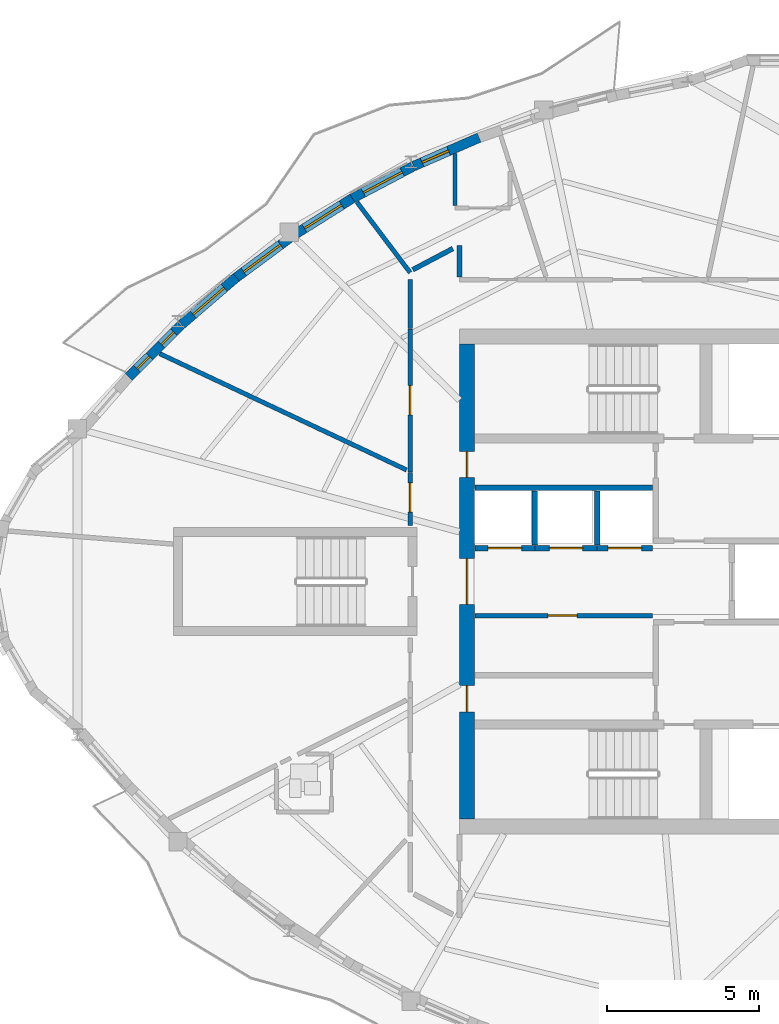
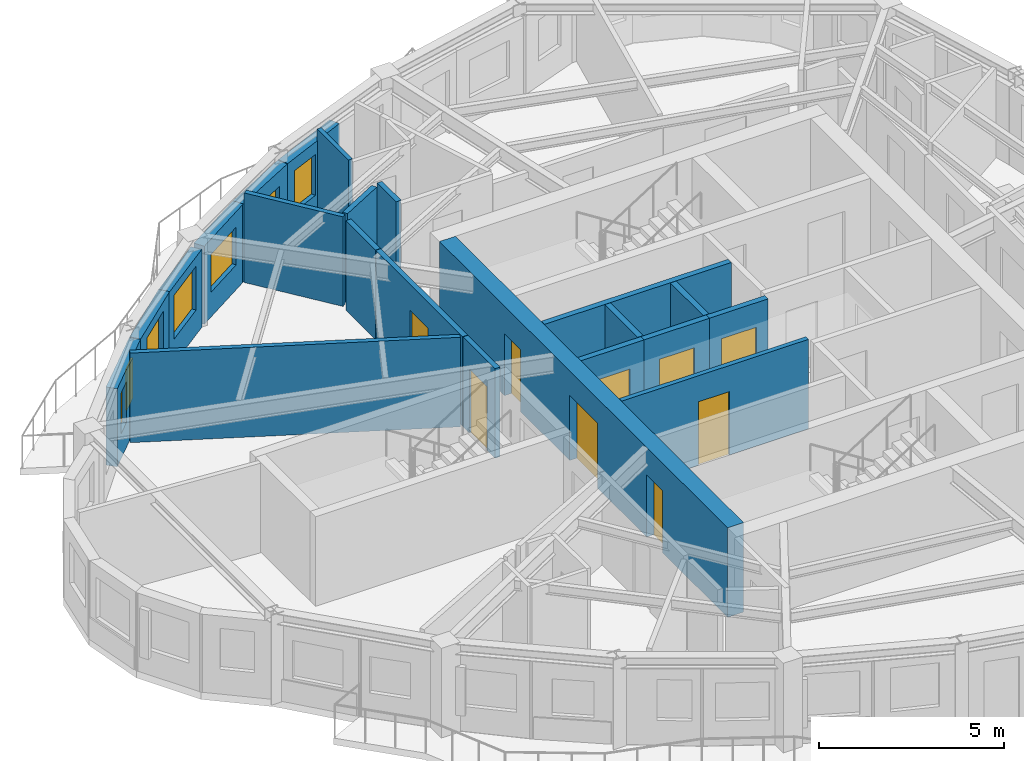
# One storey, part 5 of 12: 22 walls, 9 doors, 7 windows, 16 openings.
"""IFC4 building model written with IfcOpenShell, lengths in metres."""

from ifc_helpers import new_model, si_unit, direction, frame, frame_2d, origin, place, context, subcontext, project, spatial, rectangle, extrude, source, transform, mapped, material, layer, layer_set, type_object, element, fill, save


model = new_model("IFC4")

# Units and contexts
model_context = context("Model", 3, precision=1e-05, world=origin(), true_north=direction((0.0, 1.0)))
body_context = subcontext(model_context, "Body", "Model", "MODEL_VIEW")
ifc_project = project(units=[si_unit("LENGTHUNIT", "METRE"), si_unit("AREAUNIT", "SQUARE_METRE"), si_unit("VOLUMEUNIT", "CUBIC_METRE"), si_unit("PLANEANGLEUNIT", "RADIAN"), si_unit("MASSUNIT", "GRAM", prefix="KILO")], contexts=[model_context])

# Site, building, storey
site_placement = place(None, origin())
site = spatial("IfcSite", under=ifc_project, at=site_placement, CompositionType="ELEMENT")
building_placement = place(site_placement, origin())
building = spatial("IfcBuilding", under=site, at=building_placement, Name="Qafzar Sky-Pleat Residences", CompositionType="ELEMENT")
storey_placement = place(building_placement, frame((0.0, 0.0, 198.800048828125)))
storey = spatial("IfcBuildingStorey", under=building, at=storey_placement, Name="L59", CompositionType="ELEMENT", Elevation=198.800048828125)

# Wall, opening, door
ifc_material_1 = material(Name="Acoustic gypsum plasterboard partition", Category="gypsum")
ifc_layer_1 = layer(ifc_material_1, 0.159912109375)
ifc_layer_set_1 = layer_set([ifc_layer_1], Name="Acoustic gypsum plasterboard partition")
wall_type_1 = type_object("IfcWallType", Name="PART-COR-160", PredefinedType="PARTITIONING", material=ifc_layer_set_1)
wall_1_placement = place(storey_placement, frame((22.679931640625, 29.595947265625, 0.0), z_axis=(0.0, 0.0, 1.0), x_axis=(0.0, 1.0, 0.0)))
wall_1 = element("IfcWall", 1, at=wall_1_placement, inside=storey, type_object=wall_type_1, Name="L59 Partition Wall PART-L59-PW-002", PredefinedType="PARTITIONING", context=body_context, shape_type="SweptSolid", body=[
    extrude(rectangle(XDim=4.7041015625, YDim=0.159912109375, at=frame_2d((2.35205078125, 0.0))), origin(), (0.0, 0.0, 1.0), 2.9599609375),
])
opening_1_placement = place(wall_1_placement, frame((1.8798828125, 0.0, 0.0)))
opening_1 = element("IfcOpeningElement", 2, at=opening_1_placement, cuts=wall_1, Name="Opening ID-06", PredefinedType="OPENING", context=body_context, shape_type="SweptSolid", body=[
    extrude(rectangle(XDim=0.9599609375, YDim=2.10009765625, at=frame_2d((0.47998046875, 1.050048828125))), frame((0.0, 0.08984375, 0.0), z_axis=(0.0, -1.0, 0.0), x_axis=(1.0, 0.0, 0.0)), (0.0, 0.0, 1.0), 0.179931640625),
])
ifc_material_2 = material(Name="Timber-faced fire door", Category="wood")
door_type_1 = type_object("IfcDoorType", Name="DR-STD-960", OperationType="NOTDEFINED", PredefinedType="DOOR", material=ifc_material_2)
shared_shape_1 = source(origin(), body_context, "Body", "SweptSolid", [
    extrude(rectangle(XDim=0.9599609375, YDim=2.10009765625, at=frame_2d((0.47998046875, 1.050048828125))), frame((0.0, 0.02490234375, 0.0), z_axis=(0.0, -1.0, 0.0), x_axis=(1.0, 0.0, 0.0)), (0.0, 0.0, 1.0), 0.050048828125),
])
door_1_placement = place(opening_1_placement, origin())
door_1 = element("IfcDoor", 3, at=door_1_placement, inside=storey, type_object=door_type_1, Name="L59 Quiet Prayer Room Door", OperationType="SINGLE_SWING_LEFT", OverallHeight=2.10009765625, OverallWidth=0.9599609375, PredefinedType="DOOR", context=body_context, shape_type="MappedRepresentation", body=[
    mapped(shared_shape_1, transform((0.0, 0.0, 0.0), x_axis=(1.0, 0.0, 0.0), y_axis=(0.0, 1.0, 0.0), z_axis=(0.0, 0.0, 1.0), scale=1.0)),
])
fill(opening_1, door_1)

wall_2_placement = place(storey_placement, frame((22.679931640625, 27.85009765625, 0.0), z_axis=(0.0, 0.0, 1.0), x_axis=(0.0, 1.0, 0.0)))
wall_2 = element("IfcWall", 4, at=wall_2_placement, inside=storey, type_object=wall_type_1, Name="L59 Partition Wall PART-L59-PW-015", PredefinedType="PARTITIONING", context=body_context, shape_type="SweptSolid", body=[
    extrude(rectangle(XDim=1.73095703125, YDim=0.159912109375, at=frame_2d((0.865478515625, 0.0))), origin(), (0.0, 0.0, 1.0), 2.9599609375),
])
opening_2_placement = place(wall_2_placement, frame((0.430419921875, 0.0, 0.0)))
opening_2 = element("IfcOpeningElement", 5, at=opening_2_placement, cuts=wall_2, Name="Opening ID-06", PredefinedType="OPENING", context=body_context, shape_type="SweptSolid", body=[
    extrude(rectangle(XDim=0.9599609375, YDim=2.10009765625, at=frame_2d((0.47998046875, 1.050048828125))), frame((0.0, 0.08984375, 0.0), z_axis=(0.0, -1.0, 0.0), x_axis=(1.0, 0.0, 0.0)), (0.0, 0.0, 1.0), 0.179931640625),
])
door_2_placement = place(opening_2_placement, origin())
door_2 = element("IfcDoor", 6, at=door_2_placement, inside=storey, type_object=door_type_1, Name="L59 Media Screening Room Door", OperationType="SINGLE_SWING_RIGHT", OverallHeight=2.10009765625, OverallWidth=0.9599609375, PredefinedType="DOOR", context=body_context, shape_type="MappedRepresentation", body=[
    mapped(shared_shape_1, transform((0.0, 0.0, 0.0), x_axis=(1.0, 0.0, 0.0), y_axis=(0.0, 1.0, 0.0), z_axis=(0.0, 0.0, 1.0), scale=1.0)),
])
fill(opening_2, door_2)

# Walls
wall_3_placement = place(storey_placement, frame((22.679931640625, 34.31494140625, 0.0), z_axis=(0.0, 0.0, 1.0), x_axis=(0.0, 1.0, 0.0)))
element("IfcWall", 7, at=wall_3_placement, inside=storey, type_object=wall_type_1, Name="L59 Partition Wall PART-L59-PW-038", PredefinedType="PARTITIONING", context=body_context, shape_type="SweptSolid", body=[
    extrude(rectangle(XDim=1.60498046875, YDim=0.159912109375, at=frame_2d((0.802490234375, 0.0))), origin(), (0.0, 0.0, 1.0), 2.9599609375),
])
wall_4_placement = place(storey_placement, frame((22.763671875, 36.248046875, 0.0), z_axis=(0.0, 0.0, 1.0), x_axis=(0.884318813942, 0.466883535059, 0.0)))
element("IfcWall", 8, at=wall_4_placement, inside=storey, type_object=wall_type_1, Name="L59 Partition Wall PART-L59-PW-041", PredefinedType="PARTITIONING", context=body_context, shape_type="SweptSolid", body=[
    extrude(rectangle(XDim=1.486083984375, YDim=0.159912109375, at=frame_2d((0.7431640625, 0.0))), origin(), (0.0, 0.0, 1.0), 2.9599609375),
])
wall_5_placement = place(storey_placement, frame((24.300048828125, 36.008056640625, 0.0), z_axis=(0.0, 0.0, 1.0), x_axis=(0.0, 1.0, 0.0)))
element("IfcWall", 9, at=wall_5_placement, inside=storey, type_object=wall_type_1, Name="L59 Partition Wall PART-L59-PW-047", PredefinedType="PARTITIONING", context=body_context, shape_type="SweptSolid", body=[
    extrude(rectangle(XDim=1.031005859375, YDim=0.159912109375, at=frame_2d((0.515625, 0.0))), origin(), (0.0, 0.0, 1.0), 2.9599609375),
])
ifc_material_3 = material(Name="Concrete blockwork partition", Category="masonry")
ifc_layer_2 = layer(ifc_material_3, 0.179931640625)
ifc_layer_set_2 = layer_set([ifc_layer_2], Name="Concrete blockwork partition")
wall_type_2 = type_object("IfcWallType", Name="PART-SHAFT-180", PredefinedType="PARTITIONING", material=ifc_layer_set_2)
wall_6_placement = place(storey_placement, frame((24.81005859375, 29.080078125, 0.0), z_axis=(0.0, 0.0, 1.0), x_axis=(1.0, 0.0, 0.0)))
element("IfcWall", 10, at=wall_6_placement, inside=storey, type_object=wall_type_2, Name="L59 Partition Wall PART-L59-P46-N", PredefinedType="PARTITIONING", context=body_context, shape_type="SweptSolid", body=[
    extrude(rectangle(XDim=5.83984375, YDim=0.179931640625, at=frame_2d((2.919921875, 0.0))), origin(), (0.0, 0.0, 1.0), 2.9599609375),
])

# Wall, opening, door
wall_7_placement = place(storey_placement, frame((24.81005859375, 27.10009765625, 0.0), z_axis=(0.0, 0.0, 1.0), x_axis=(1.0, 0.0, 0.0)))
wall_7 = element("IfcWall", 11, at=wall_7_placement, inside=storey, type_object=wall_type_2, Name="L59 Partition Wall PART-L59-P4-S", PredefinedType="PARTITIONING", context=body_context, shape_type="SweptSolid", body=[
    extrude(rectangle(XDim=1.96484375, YDim=0.179931640625, at=frame_2d((0.982421875, 0.0))), origin(), (0.0, 0.0, 1.0), 2.9599609375),
])
opening_3_placement = place(wall_7_placement, frame((0.4326171875, 0.0, 0.0)))
opening_3 = element("IfcOpeningElement", 12, at=opening_3_placement, cuts=wall_7, Name="Opening LD-01", PredefinedType="OPENING", context=body_context, shape_type="SweptSolid", body=[
    extrude(rectangle(XDim=1.10009765625, YDim=2.14990234375, at=frame_2d((0.550048828125, 1.074951171875))), frame((0.0, 0.10009765625, 0.0), z_axis=(0.0, -1.0, 0.0), x_axis=(1.0, 0.0, 0.0)), (0.0, 0.0, 1.0), 0.199951171875),
])
ifc_material_4 = material(Name="Stainless steel sliding landing door", Category="steel")
door_type_2 = type_object("IfcDoorType", Name="DR-LIFT-P", OperationType="DOUBLE_DOOR_SLIDING", PredefinedType="DOOR", material=ifc_material_4)
shared_shape_2 = source(origin(), body_context, "Body", "SweptSolid", [
    extrude(rectangle(XDim=1.10009765625, YDim=2.14990234375, at=frame_2d((0.550048828125, 1.074951171875))), frame((0.0, 0.02490234375, 0.0), z_axis=(0.0, -1.0, 0.0), x_axis=(1.0, 0.0, 0.0)), (0.0, 0.0, 1.0), 0.050048828125),
])
door_3_placement = place(opening_3_placement, origin())
door_3 = element("IfcDoor", 13, at=door_3_placement, inside=storey, type_object=door_type_2, Name="L59 Passenger Lift P4 Landing Door", OperationType="DOUBLE_DOOR_SLIDING", OverallHeight=2.14990234375, OverallWidth=1.10009765625, PredefinedType="DOOR", context=body_context, shape_type="MappedRepresentation", body=[
    mapped(shared_shape_2, transform((0.0, 0.0, 0.0), x_axis=(1.0, 0.0, 0.0), y_axis=(0.0, 1.0, 0.0), z_axis=(0.0, 0.0, 1.0), scale=1.0)),
])
fill(opening_3, door_3)

wall_8_placement = place(storey_placement, frame((26.77490234375, 27.10009765625, 0.0), z_axis=(0.0, 0.0, 1.0), x_axis=(1.0, 0.0, 0.0)))
wall_8 = element("IfcWall", 14, at=wall_8_placement, inside=storey, type_object=wall_type_2, Name="L59 Partition Wall PART-L59-P5-S", PredefinedType="PARTITIONING", context=body_context, shape_type="SweptSolid", body=[
    extrude(rectangle(XDim=2.050048828125, YDim=0.179931640625, at=frame_2d((1.02490234375, 0.0))), origin(), (0.0, 0.0, 1.0), 2.9599609375),
])
opening_4_placement = place(wall_8_placement, frame((0.47509765625, 0.0, 0.0)))
opening_4 = element("IfcOpeningElement", 15, at=opening_4_placement, cuts=wall_8, Name="Opening LD-01", PredefinedType="OPENING", context=body_context, shape_type="SweptSolid", body=[
    extrude(rectangle(XDim=1.10009765625, YDim=2.14990234375, at=frame_2d((0.550048828125, 1.074951171875))), frame((0.0, 0.10009765625, 0.0), z_axis=(0.0, -1.0, 0.0), x_axis=(1.0, 0.0, 0.0)), (0.0, 0.0, 1.0), 0.199951171875),
])
door_4_placement = place(opening_4_placement, origin())
door_4 = element("IfcDoor", 16, at=door_4_placement, inside=storey, type_object=door_type_2, Name="L59 Passenger Lift P5 Landing Door", OperationType="DOUBLE_DOOR_SLIDING", OverallHeight=2.14990234375, OverallWidth=1.10009765625, PredefinedType="DOOR", context=body_context, shape_type="MappedRepresentation", body=[
    mapped(shared_shape_2, transform((0.0, 0.0, 0.0), x_axis=(1.0, 0.0, 0.0), y_axis=(0.0, 1.0, 0.0), z_axis=(0.0, 0.0, 1.0), scale=1.0)),
])
fill(opening_4, door_4)

# Wall
wall_9_placement = place(storey_placement, frame((26.77490234375, 27.199951171875, 0.0), z_axis=(0.0, 0.0, 1.0), x_axis=(0.0, 1.0, 0.0)))
element("IfcWall", 17, at=wall_9_placement, inside=storey, type_object=wall_type_2, Name="L59 Partition Wall PART-L59-P46-DIV-1", PredefinedType="PARTITIONING", context=body_context, shape_type="SweptSolid", body=[
    extrude(rectangle(XDim=1.780029296875, YDim=0.179931640625, at=frame_2d((0.89013671875, 0.0))), origin(), (0.0, 0.0, 1.0), 2.9599609375),
])

# Wall, opening, door
wall_10_placement = place(storey_placement, frame((28.824951171875, 27.10009765625, 0.0), z_axis=(0.0, 0.0, 1.0), x_axis=(1.0, 0.0, 0.0)))
wall_10 = element("IfcWall", 18, at=wall_10_placement, inside=storey, type_object=wall_type_2, Name="L59 Partition Wall PART-L59-P6-S", PredefinedType="PARTITIONING", context=body_context, shape_type="SweptSolid", body=[
    extrude(rectangle(XDim=1.824951171875, YDim=0.179931640625, at=frame_2d((0.91259765625, 0.0))), origin(), (0.0, 0.0, 1.0), 2.9599609375),
])
opening_5_placement = place(wall_10_placement, frame((0.362548828125, 0.0, 0.0)))
opening_5 = element("IfcOpeningElement", 19, at=opening_5_placement, cuts=wall_10, Name="Opening LD-01", PredefinedType="OPENING", context=body_context, shape_type="SweptSolid", body=[
    extrude(rectangle(XDim=1.10009765625, YDim=2.14990234375, at=frame_2d((0.550048828125, 1.074951171875))), frame((0.0, 0.10009765625, 0.0), z_axis=(0.0, -1.0, 0.0), x_axis=(1.0, 0.0, 0.0)), (0.0, 0.0, 1.0), 0.199951171875),
])
door_5_placement = place(opening_5_placement, origin())
door_5 = element("IfcDoor", 20, at=door_5_placement, inside=storey, type_object=door_type_2, Name="L59 Passenger Lift P6 Landing Door", OperationType="DOUBLE_DOOR_SLIDING", OverallHeight=2.14990234375, OverallWidth=1.10009765625, PredefinedType="DOOR", context=body_context, shape_type="MappedRepresentation", body=[
    mapped(shared_shape_2, transform((0.0, 0.0, 0.0), x_axis=(1.0, 0.0, 0.0), y_axis=(0.0, 1.0, 0.0), z_axis=(0.0, 0.0, 1.0), scale=1.0)),
])
fill(opening_5, door_5)

# Wall
wall_11_placement = place(storey_placement, frame((28.824951171875, 27.199951171875, 0.0), z_axis=(0.0, 0.0, 1.0), x_axis=(0.0, 1.0, 0.0)))
element("IfcWall", 21, at=wall_11_placement, inside=storey, type_object=wall_type_2, Name="L59 Partition Wall PART-L59-P46-DIV-2", PredefinedType="PARTITIONING", context=body_context, shape_type="SweptSolid", body=[
    extrude(rectangle(XDim=1.780029296875, YDim=0.179931640625, at=frame_2d((0.89013671875, 0.0))), origin(), (0.0, 0.0, 1.0), 2.9599609375),
])

# Wall, opening, door
ifc_layer_3 = layer(ifc_material_1, 0.14501953125)
ifc_layer_set_3 = layer_set([ifc_layer_3], Name="Acoustic gypsum plasterboard partition")
wall_type_3 = type_object("IfcWallType", Name="PART-UNIT-145", PredefinedType="PARTITIONING", material=ifc_layer_set_3)
wall_12_placement = place(storey_placement, frame((24.81005859375, 24.8798828125, 0.0), z_axis=(0.0, 0.0, 1.0), x_axis=(1.0, 0.0, 0.0)))
wall_12 = element("IfcWall", 22, at=wall_12_placement, inside=storey, type_object=wall_type_3, Name="L59 Partition Wall PART-L59-RECLAIM-N", PredefinedType="PARTITIONING", context=body_context, shape_type="SweptSolid", body=[
    extrude(rectangle(XDim=5.83984375, YDim=0.14501953125, at=frame_2d((2.919921875, 0.0))), origin(), (0.0, 0.0, 1.0), 2.9599609375),
])
opening_6_placement = place(wall_12_placement, frame((2.39990234375, 0.0, 0.0)))
opening_6 = element("IfcOpeningElement", 23, at=opening_6_placement, cuts=wall_12, Name="Opening ID-06", PredefinedType="OPENING", context=body_context, shape_type="SweptSolid", body=[
    extrude(rectangle(XDim=0.9599609375, YDim=2.10009765625, at=frame_2d((0.47998046875, 1.050048828125))), frame((0.0, 0.08251953125, 0.0), z_axis=(0.0, -1.0, 0.0), x_axis=(1.0, 0.0, 0.0)), (0.0, 0.0, 1.0), 0.1650390625),
])
door_6_placement = place(opening_6_placement, origin())
door_6 = element("IfcDoor", 24, at=door_6_placement, inside=storey, type_object=door_type_1, Name="L59 Reclaimed Resident Laundry Room Door", OperationType="SINGLE_SWING_LEFT", OverallHeight=2.10009765625, OverallWidth=0.9599609375, PredefinedType="DOOR", context=body_context, shape_type="MappedRepresentation", body=[
    mapped(shared_shape_1, transform((0.0, 0.0, 0.0), x_axis=(1.0, 0.0, 0.0), y_axis=(0.0, 1.0, 0.0), z_axis=(0.0, 0.0, 1.0), scale=1.0)),
])
fill(opening_6, door_6)

# Walls
wall_13_placement = place(storey_placement, frame((14.4453125, 33.490478515625, 0.0), z_axis=(0.0, 0.0, 1.0), x_axis=(0.904673727325, -0.426104971912, 0.0)))
element("IfcWall", 25, at=wall_13_placement, inside=storey, type_object=wall_type_3, Name="L59 Partition Wall PART-L59-PW-017", PredefinedType="PARTITIONING", context=body_context, shape_type="SweptSolid", body=[
    extrude(rectangle(XDim=8.971923828125, YDim=0.14501953125, at=frame_2d((4.48583984375, 0.0))), origin(), (0.0, 0.0, 1.0), 2.9599609375),
])
wall_14_placement = place(storey_placement, frame((20.928955078125, 38.469482421875, 0.0), z_axis=(0.0, 0.0, 1.0), x_axis=(0.602847358209, -0.797856542682, 0.0)))
element("IfcWall", 26, at=wall_14_placement, inside=storey, type_object=wall_type_3, Name="L59 Partition Wall PART-L59-PW-029", PredefinedType="PARTITIONING", context=body_context, shape_type="SweptSolid", body=[
    extrude(rectangle(XDim=2.904541015625, YDim=0.14501953125, at=frame_2d((1.4521484375, 0.0))), origin(), (0.0, 0.0, 1.0), 2.9599609375),
])
ifc_material_5 = material(Name="Moisture-resistant gypsum partition", Category="gypsum")
ifc_layer_4 = layer(ifc_material_5, 0.1298828125)
ifc_layer_set_4 = layer_set([ifc_layer_4], Name="Moisture-resistant gypsum partition")
wall_type_4 = type_object("IfcWallType", Name="PART-WET-130", PredefinedType="PARTITIONING", material=ifc_layer_set_4)
wall_15_placement = place(storey_placement, frame((24.154052734375, 38.35498046875, 0.0), z_axis=(0.0, 0.0, 1.0), x_axis=(0.0, 1.0, 0.0)))
element("IfcWall", 27, at=wall_15_placement, inside=storey, type_object=wall_type_4, Name="L59 Partition Wall PART-L59-PW-031", PredefinedType="PARTITIONING", context=body_context, shape_type="SweptSolid", body=[
    extrude(rectangle(XDim=1.705078125, YDim=0.1298828125, at=frame_2d((0.8525390625, 0.0))), origin(), (0.0, 0.0, 1.0), 2.9599609375),
])

# Wall, opening, window
ifc_material_6 = material(Name="Precast concrete C40/50 with honed Riyadh limestone", Category="concrete")
ifc_layer_5 = layer(ifc_material_6, 0.320068359375)
ifc_layer_set_5 = layer_set([ifc_layer_5], Name="Precast concrete C40/50 with honed Riyadh limestone")
wall_type_5 = type_object("IfcWallType", Name="WALL-EXT-320", PredefinedType="SOLIDWALL", material=ifc_layer_set_5)
wall_16_placement = place(storey_placement, frame((24.943359375, 40.589599609375, 0.0), z_axis=(0.0, 0.0, 1.0), x_axis=(-0.917071710038, -0.398722307688, 0.0)))
wall_16 = element("IfcWall", 28, at=wall_16_placement, inside=storey, type_object=wall_type_5, Name="L59 Limestone Facade Wall 42", PredefinedType="SOLIDWALL", context=body_context, shape_type="SweptSolid", body=[
    extrude(rectangle(XDim=2.346923828125, YDim=0.320068359375, at=frame_2d((1.17333984375, 0.0))), origin(), (0.0, 0.0, 1.0), 2.579833984375),
])
opening_7_placement = place(wall_16_placement, frame((1.09130859375, 0.0, 0.820068359375)))
opening_7 = element("IfcOpeningElement", 29, at=opening_7_placement, cuts=wall_16, Name="Opening WN-12", PredefinedType="OPENING", context=body_context, shape_type="SweptSolid", body=[
    extrude(rectangle(XDim=0.949951171875, YDim=1.35009765625, at=frame_2d((0.47509765625, 0.675048828125))), frame((0.0, 0.169921875, 0.0), z_axis=(0.0, -1.0, 0.0), x_axis=(1.0, 0.0, 0.0)), (0.0, 0.0, 1.0), 0.340087890625),
])
ifc_material_7 = material(Name="Solar-control low-E glass in bronze aluminium frame", Category="glass")
window_type_1 = type_object("IfcWindowType", Name="WIN-12", PartitioningType="SINGLE_PANEL", PredefinedType="WINDOW", material=ifc_material_7)
shared_shape_3 = source(origin(), body_context, "Body", "SweptSolid", [
    extrude(rectangle(XDim=0.949951171875, YDim=1.35009765625, at=frame_2d((0.47509765625, 0.675048828125))), frame((0.0, 0.030029296875, 0.0), z_axis=(0.0, -1.0, 0.0), x_axis=(1.0, 0.0, 0.0)), (0.0, 0.0, 1.0), 0.06005859375),
])
window_1_placement = place(opening_7_placement, origin())
window_1 = element("IfcWindow", 30, at=window_1_placement, inside=storey, type_object=window_type_1, Name="L59 Punched Facade Window 42-2", OverallHeight=1.35009765625, OverallWidth=0.949951171875, PartitioningType="SINGLE_PANEL", PredefinedType="WINDOW", context=body_context, shape_type="MappedRepresentation", body=[
    mapped(shared_shape_3, transform((0.0, 0.0, 0.0), x_axis=(1.0, 0.0, 0.0), y_axis=(0.0, 1.0, 0.0), z_axis=(0.0, 0.0, 1.0), scale=1.0)),
])
fill(opening_7, window_1)

wall_17_placement = place(storey_placement, frame((22.765869140625, 39.641845703125, 0.0), z_axis=(0.0, 0.0, 1.0), x_axis=(-0.884377555637, -0.466772256122, 0.0)))
wall_17 = element("IfcWall", 31, at=wall_17_placement, inside=storey, type_object=wall_type_5, Name="L59 Limestone Facade Wall 43", PredefinedType="SOLIDWALL", context=body_context, shape_type="SweptSolid", body=[
    extrude(rectangle(XDim=2.333740234375, YDim=0.320068359375, at=frame_2d((1.1669921875, 0.0))), origin(), (0.0, 0.0, 1.0), 2.579833984375),
])
opening_8_placement = place(wall_17_placement, frame((0.393310546875, 0.0, 0.820068359375)))
opening_8 = element("IfcOpeningElement", 32, at=opening_8_placement, cuts=wall_17, Name="Opening WN-15", PredefinedType="OPENING", context=body_context, shape_type="SweptSolid", body=[
    extrude(rectangle(XDim=1.449951171875, YDim=1.25, at=frame_2d((0.72509765625, 0.625))), frame((0.0, 0.169921875, 0.0), z_axis=(0.0, -1.0, 0.0), x_axis=(1.0, 0.0, 0.0)), (0.0, 0.0, 1.0), 0.340087890625),
])
window_type_2 = type_object("IfcWindowType", Name="WIN-15", PartitioningType="SINGLE_PANEL", PredefinedType="WINDOW", material=ifc_material_7)
shared_shape_4 = source(origin(), body_context, "Body", "SweptSolid", [
    extrude(rectangle(XDim=1.449951171875, YDim=1.25, at=frame_2d((0.72509765625, 0.625))), frame((0.0, 0.030029296875, 0.0), z_axis=(0.0, -1.0, 0.0), x_axis=(1.0, 0.0, 0.0)), (0.0, 0.0, 1.0), 0.06005859375),
])
window_2_placement = place(opening_8_placement, origin())
window_2 = element("IfcWindow", 33, at=window_2_placement, inside=storey, type_object=window_type_2, Name="L59 Punched Facade Window 43", OverallHeight=1.25, OverallWidth=1.449951171875, PartitioningType="SINGLE_PANEL", PredefinedType="WINDOW", context=body_context, shape_type="MappedRepresentation", body=[
    mapped(shared_shape_4, transform((0.0, 0.0, 0.0), x_axis=(1.0, 0.0, 0.0), y_axis=(0.0, 1.0, 0.0), z_axis=(0.0, 0.0, 1.0), scale=1.0)),
])
fill(opening_8, window_2)

wall_18_placement = place(storey_placement, frame((20.7783203125, 38.5966796875, 0.0), z_axis=(0.0, 0.0, 1.0), x_axis=(-0.84639489148, -0.532555807101, 0.0)))
wall_18 = element("IfcWall", 34, at=wall_18_placement, inside=storey, type_object=wall_type_5, Name="L59 Limestone Facade Wall 44", PredefinedType="SOLIDWALL", context=body_context, shape_type="SweptSolid", body=[
    extrude(rectangle(XDim=2.263671875, YDim=0.320068359375, at=frame_2d((1.1318359375, 0.0))), origin(), (0.0, 0.0, 1.0), 2.579833984375),
])
opening_9_placement = place(wall_18_placement, frame((0.411865234375, 0.0, 0.820068359375)))
opening_9 = element("IfcOpeningElement", 35, at=opening_9_placement, cuts=wall_18, Name="Opening WN-15", PredefinedType="OPENING", context=body_context, shape_type="SweptSolid", body=[
    extrude(rectangle(XDim=1.449951171875, YDim=1.25, at=frame_2d((0.72509765625, 0.625))), frame((0.0, 0.169921875, 0.0), z_axis=(0.0, -1.0, 0.0), x_axis=(1.0, 0.0, 0.0)), (0.0, 0.0, 1.0), 0.340087890625),
])
window_3_placement = place(opening_9_placement, origin())
window_3 = element("IfcWindow", 36, at=window_3_placement, inside=storey, type_object=window_type_2, Name="L59 Punched Facade Window 44", OverallHeight=1.25, OverallWidth=1.449951171875, PartitioningType="SINGLE_PANEL", PredefinedType="WINDOW", context=body_context, shape_type="MappedRepresentation", body=[
    mapped(shared_shape_4, transform((0.0, 0.0, 0.0), x_axis=(1.0, 0.0, 0.0), y_axis=(0.0, 1.0, 0.0), z_axis=(0.0, 0.0, 1.0), scale=1.0)),
])
fill(opening_9, window_3)

wall_19_placement = place(storey_placement, frame((18.7236328125, 37.29638671875, 0.0), z_axis=(0.0, 0.0, 1.0), x_axis=(-0.803830620004, -0.59485824727, 0.0)))
wall_19 = element("IfcWall", 37, at=wall_19_placement, inside=storey, type_object=wall_type_5, Name="L59 Limestone Facade Wall 45", PredefinedType="SOLIDWALL", context=body_context, shape_type="SweptSolid", body=[
    extrude(rectangle(XDim=2.277099609375, YDim=0.320068359375, at=frame_2d((1.138671875, 0.0))), origin(), (0.0, 0.0, 1.0), 2.579833984375),
])
opening_10_placement = place(wall_19_placement, frame((0.383544921875, 0.0, 0.820068359375)))
opening_10 = element("IfcOpeningElement", 38, at=opening_10_placement, cuts=wall_19, Name="Opening WN-03", PredefinedType="OPENING", context=body_context, shape_type="SweptSolid", body=[
    extrude(rectangle(XDim=1.5, YDim=1.449951171875, at=frame_2d((0.75, 0.72509765625))), frame((0.0, 0.169921875, 0.0), z_axis=(0.0, -1.0, 0.0), x_axis=(1.0, 0.0, 0.0)), (0.0, 0.0, 1.0), 0.340087890625),
])
window_type_3 = type_object("IfcWindowType", Name="WIN-03", PartitioningType="DOUBLE_PANEL_VERTICAL", PredefinedType="WINDOW", material=ifc_material_7)
shared_shape_5 = source(origin(), body_context, "Body", "SweptSolid", [
    extrude(rectangle(XDim=1.5, YDim=1.449951171875, at=frame_2d((0.75, 0.72509765625))), frame((0.0, 0.030029296875, 0.0), z_axis=(0.0, -1.0, 0.0), x_axis=(1.0, 0.0, 0.0)), (0.0, 0.0, 1.0), 0.06005859375),
])
window_4_placement = place(opening_10_placement, origin())
window_4 = element("IfcWindow", 39, at=window_4_placement, inside=storey, type_object=window_type_3, Name="L59 Punched Facade Window 45", OverallHeight=1.449951171875, OverallWidth=1.5, PartitioningType="SINGLE_PANEL", PredefinedType="WINDOW", context=body_context, shape_type="MappedRepresentation", body=[
    mapped(shared_shape_5, transform((0.0, 0.0, 0.0), x_axis=(1.0, 0.0, 0.0), y_axis=(0.0, 1.0, 0.0), z_axis=(0.0, 0.0, 1.0), scale=1.0)),
])
fill(opening_10, window_4)

wall_20_placement = place(storey_placement, frame((16.9619140625, 35.996826171875, 0.0), z_axis=(0.0, 0.0, 1.0), x_axis=(-0.757474860475, -0.652864331808, 0.0)))
wall_20 = element("IfcWall", 40, at=wall_20_placement, inside=storey, type_object=wall_type_5, Name="L59 Limestone Facade Wall 46", PredefinedType="SOLIDWALL", context=body_context, shape_type="SweptSolid", body=[
    extrude(rectangle(XDim=2.37353515625, YDim=0.320068359375, at=frame_2d((1.186767578125, 0.0))), origin(), (0.0, 0.0, 1.0), 2.579833984375),
])
opening_11_placement = place(wall_20_placement, frame((0.521728515625, 0.0, 0.820068359375)))
opening_11 = element("IfcOpeningElement", 41, at=opening_11_placement, cuts=wall_20, Name="Opening WN-04", PredefinedType="OPENING", context=body_context, shape_type="SweptSolid", body=[
    extrude(rectangle(XDim=1.35009765625, YDim=1.449951171875, at=frame_2d((0.675048828125, 0.72509765625))), frame((0.0, 0.169921875, 0.0), z_axis=(0.0, -1.0, 0.0), x_axis=(1.0, 0.0, 0.0)), (0.0, 0.0, 1.0), 0.340087890625),
])
window_type_4 = type_object("IfcWindowType", Name="WIN-04", PartitioningType="SINGLE_PANEL", PredefinedType="WINDOW", material=ifc_material_7)
shared_shape_6 = source(origin(), body_context, "Body", "SweptSolid", [
    extrude(rectangle(XDim=1.35009765625, YDim=1.449951171875, at=frame_2d((0.675048828125, 0.72509765625))), frame((0.0, 0.030029296875, 0.0), z_axis=(0.0, -1.0, 0.0), x_axis=(1.0, 0.0, 0.0)), (0.0, 0.0, 1.0), 0.06005859375),
])
window_5_placement = place(opening_11_placement, origin())
window_5 = element("IfcWindow", 42, at=window_5_placement, inside=storey, type_object=window_type_4, Name="L59 Punched Facade Window 46", OverallHeight=1.449951171875, OverallWidth=1.35009765625, PartitioningType="SINGLE_PANEL", PredefinedType="WINDOW", context=body_context, shape_type="MappedRepresentation", body=[
    mapped(shared_shape_6, transform((0.0, 0.0, 0.0), x_axis=(1.0, 0.0, 0.0), y_axis=(0.0, 1.0, 0.0), z_axis=(0.0, 0.0, 1.0), scale=1.0)),
])
fill(opening_11, window_5)

# Wall, openings, windows
wall_21_placement = place(storey_placement, frame((15.143310546875, 34.427978515625, 0.0), z_axis=(0.0, 0.0, 1.0), x_axis=(-0.708370597245, -0.705840702255, 0.0)))
wall_21 = element("IfcWall", 43, at=wall_21_placement, inside=storey, type_object=wall_type_5, Name="L59 Limestone Facade Wall 47", PredefinedType="SOLIDWALL", context=body_context, shape_type="SweptSolid", body=[
    extrude(rectangle(XDim=2.41259765625, YDim=0.320068359375, at=frame_2d((1.206298828125, 0.0))), origin(), (0.0, 0.0, 1.0), 2.579833984375),
])
opening_12_placement = place(wall_21_placement, frame((0.322021484375, 0.0, 0.820068359375)))
opening_12 = element("IfcOpeningElement", 44, at=opening_12_placement, cuts=wall_21, Name="Opening WN-17", PredefinedType="OPENING", context=body_context, shape_type="SweptSolid", body=[
    extrude(rectangle(XDim=0.580078125, YDim=1.35009765625, at=frame_2d((0.2900390625, 0.675048828125))), frame((0.0, 0.169921875, 0.0), z_axis=(0.0, -1.0, 0.0), x_axis=(1.0, 0.0, 0.0)), (0.0, 0.0, 1.0), 0.340087890625),
])
opening_13_placement = place(wall_21_placement, frame((1.458251953125, 0.0, 0.820068359375)))
opening_13 = element("IfcOpeningElement", 45, at=opening_13_placement, cuts=wall_21, Name="Opening WN-17", PredefinedType="OPENING", context=body_context, shape_type="SweptSolid", body=[
    extrude(rectangle(XDim=0.580078125, YDim=1.35009765625, at=frame_2d((0.2900390625, 0.675048828125))), frame((0.0, 0.169921875, 0.0), z_axis=(0.0, -1.0, 0.0), x_axis=(1.0, 0.0, 0.0)), (0.0, 0.0, 1.0), 0.340087890625),
])
window_type_5 = type_object("IfcWindowType", Name="WIN-17", PartitioningType="SINGLE_PANEL", PredefinedType="WINDOW", material=ifc_material_7)
shared_shape_7 = source(origin(), body_context, "Body", "SweptSolid", [
    extrude(rectangle(XDim=0.580078125, YDim=1.35009765625, at=frame_2d((0.2900390625, 0.675048828125))), frame((0.0, 0.030029296875, 0.0), z_axis=(0.0, -1.0, 0.0), x_axis=(1.0, 0.0, 0.0)), (0.0, 0.0, 1.0), 0.06005859375),
])
window_6_placement = place(opening_12_placement, origin())
window_6 = element("IfcWindow", 46, at=window_6_placement, inside=storey, type_object=window_type_5, Name="L59 Punched Facade Window 47", OverallHeight=1.35009765625, OverallWidth=0.580078125, PartitioningType="SINGLE_PANEL", PredefinedType="WINDOW", context=body_context, shape_type="MappedRepresentation", body=[
    mapped(shared_shape_7, transform((0.0, 0.0, 0.0), x_axis=(1.0, 0.0, 0.0), y_axis=(0.0, 1.0, 0.0), z_axis=(0.0, 0.0, 1.0), scale=1.0)),
])
fill(opening_12, window_6)
window_7_placement = place(opening_13_placement, origin())
window_7 = element("IfcWindow", 47, at=window_7_placement, inside=storey, type_object=window_type_5, Name="L59 Punched Facade Window 47-2", OverallHeight=1.35009765625, OverallWidth=0.580078125, PartitioningType="SINGLE_PANEL", PredefinedType="WINDOW", context=body_context, shape_type="MappedRepresentation", body=[
    mapped(shared_shape_7, transform((0.0, 0.0, 0.0), x_axis=(1.0, 0.0, 0.0), y_axis=(0.0, 1.0, 0.0), z_axis=(0.0, 0.0, 1.0), scale=1.0)),
])
fill(opening_13, window_7)

# Wall, openings, doors
ifc_material_8 = material(Name="Concrete C60/75", Category="concrete")
ifc_layer_6 = layer(ifc_material_8, 0.5)
ifc_layer_set_6 = layer_set([ifc_layer_6], Name="Concrete C60/75")
wall_type_6 = type_object("IfcWallType", Name="WALL-SHEAR-500", PredefinedType="SHEAR", material=ifc_layer_set_6)
wall_22_placement = place(storey_placement, frame((24.550048828125, 33.800048828125, 0.0), z_axis=(0.0, 0.0, 1.0), x_axis=(0.0, -1.0, 0.0)))
wall_22 = element("IfcWall", 48, at=wall_22_placement, inside=storey, type_object=wall_type_6, Name="L59 CORE wall W", PredefinedType="SHEAR", context=body_context, shape_type="SweptSolid", body=[
    extrude(rectangle(XDim=15.60009765625, YDim=0.5, at=frame_2d((7.800048828125, 0.0))), origin(), (0.0, 0.0, 1.0), 2.9599609375),
])
opening_14_placement = place(wall_22_placement, frame((7.050048828125, 0.0, 0.0)))
opening_14 = element("IfcOpeningElement", 49, at=opening_14_placement, cuts=wall_22, Name="Opening ID-03", PredefinedType="OPENING", context=body_context, shape_type="SweptSolid", body=[
    extrude(rectangle(XDim=1.5, YDim=2.14990234375, at=frame_2d((0.75, 1.074951171875))), frame((0.0, 0.260009765625, 0.0), z_axis=(0.0, -1.0, 0.0), x_axis=(1.0, 0.0, 0.0)), (0.0, 0.0, 1.0), 0.52001953125),
])
opening_15_placement = place(wall_22_placement, frame((3.52001953125, 0.0, 0.0)))
opening_15 = element("IfcOpeningElement", 50, at=opening_15_placement, cuts=wall_22, Name="Opening ID-09", PredefinedType="OPENING", context=body_context, shape_type="SweptSolid", body=[
    extrude(rectangle(XDim=0.860107421875, YDim=2.050048828125, at=frame_2d((0.43017578125, 1.02490234375))), frame((0.0, 0.260009765625, 0.0), z_axis=(0.0, -1.0, 0.0), x_axis=(1.0, 0.0, 0.0)), (0.0, 0.0, 1.0), 0.52001953125),
])
opening_16_placement = place(wall_22_placement, frame((11.219970703125, 0.0, 0.0)))
opening_16 = element("IfcOpeningElement", 51, at=opening_16_placement, cuts=wall_22, Name="Opening ID-09", PredefinedType="OPENING", context=body_context, shape_type="SweptSolid", body=[
    extrude(rectangle(XDim=0.860107421875, YDim=2.050048828125, at=frame_2d((0.43017578125, 1.02490234375))), frame((0.0, 0.260009765625, 0.0), z_axis=(0.0, -1.0, 0.0), x_axis=(1.0, 0.0, 0.0)), (0.0, 0.0, 1.0), 0.52001953125),
])
door_type_3 = type_object("IfcDoorType", Name="DR-COR-1500", OperationType="DOUBLE_DOOR_SINGLE_SWING", PredefinedType="DOOR", material=ifc_material_2)
shared_shape_8 = source(origin(), body_context, "Body", "SweptSolid", [
    extrude(rectangle(XDim=1.5, YDim=2.14990234375, at=frame_2d((0.75, 1.074951171875))), frame((0.0, 0.02490234375, 0.0), z_axis=(0.0, -1.0, 0.0), x_axis=(1.0, 0.0, 0.0)), (0.0, 0.0, 1.0), 0.050048828125),
])
door_7_placement = place(opening_14_placement, origin())
door_7 = element("IfcDoor", 52, at=door_7_placement, inside=storey, type_object=door_type_3, Name="L59 Lift Lobby West Double Door", OperationType="DOUBLE_DOOR_SINGLE_SWING", OverallHeight=2.14990234375, OverallWidth=1.5, PredefinedType="DOOR", context=body_context, shape_type="MappedRepresentation", body=[
    mapped(shared_shape_8, transform((0.0, 0.0, 0.0), x_axis=(1.0, 0.0, 0.0), y_axis=(0.0, 1.0, 0.0), z_axis=(0.0, 0.0, 1.0), scale=1.0)),
])
fill(opening_14, door_7)
door_type_4 = type_object("IfcDoorType", Name="DR-SVC-860", OperationType="NOTDEFINED", PredefinedType="DOOR", material=ifc_material_2)
shared_shape_9 = source(origin(), body_context, "Body", "SweptSolid", [
    extrude(rectangle(XDim=0.860107421875, YDim=2.050048828125, at=frame_2d((0.43017578125, 1.02490234375))), frame((0.0, 0.02490234375, 0.0), z_axis=(0.0, -1.0, 0.0), x_axis=(1.0, 0.0, 0.0)), (0.0, 0.0, 1.0), 0.050048828125),
])
door_8_placement = place(opening_15_placement, origin())
door_8 = element("IfcDoor", 53, at=door_8_placement, inside=storey, type_object=door_type_4, Name="L59 Core North-West Service Door", OperationType="SINGLE_SWING_LEFT", OverallHeight=2.050048828125, OverallWidth=0.860107421875, PredefinedType="DOOR", context=body_context, shape_type="MappedRepresentation", body=[
    mapped(shared_shape_9, transform((0.0, 0.0, 0.0), x_axis=(1.0, 0.0, 0.0), y_axis=(0.0, 1.0, 0.0), z_axis=(0.0, 0.0, 1.0), scale=1.0)),
])
fill(opening_15, door_8)
door_9_placement = place(opening_16_placement, origin())
door_9 = element("IfcDoor", 54, at=door_9_placement, inside=storey, type_object=door_type_4, Name="L59 Core South-West Service Door", OperationType="SINGLE_SWING_RIGHT", OverallHeight=2.050048828125, OverallWidth=0.860107421875, PredefinedType="DOOR", context=body_context, shape_type="MappedRepresentation", body=[
    mapped(shared_shape_9, transform((0.0, 0.0, 0.0), x_axis=(1.0, 0.0, 0.0), y_axis=(0.0, 1.0, 0.0), z_axis=(0.0, 0.0, 1.0), scale=1.0)),
])
fill(opening_16, door_9)

save(model, "model.ifc")
